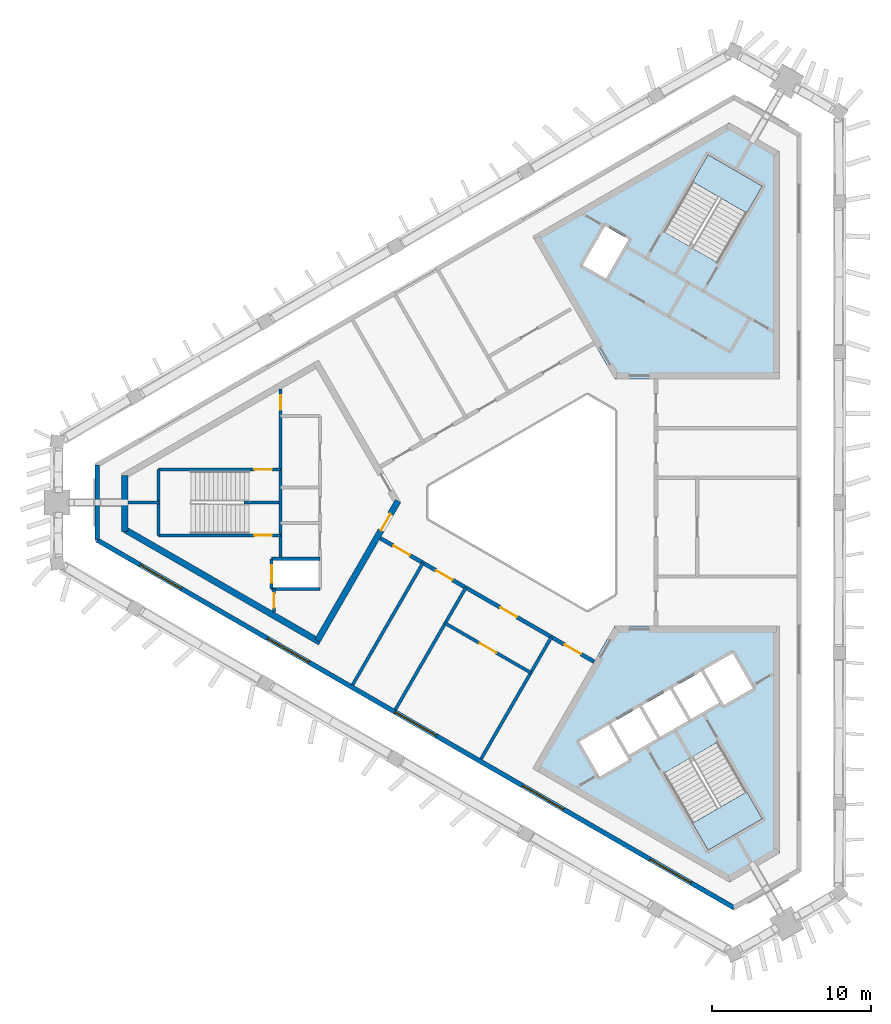
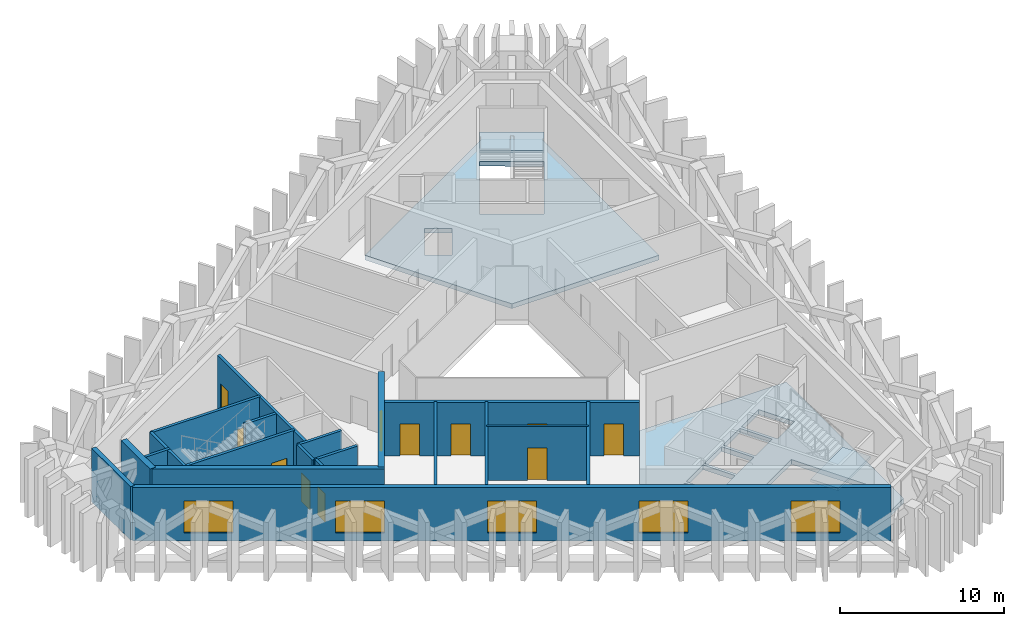
# One storey, part 3 of 8: 20 walls, 11 doors, 5 windows, 4 slabs, 16 openings, 2 elements without a shape of their own.
"""IFC4 building model written with IfcOpenShell, lengths in metres."""

from ifc_helpers import new_model, si_unit, direction, frame, frame_2d, origin, place, context, subcontext, project, spatial, polyline, rectangle, outline, extrude, material, layer, layer_set, type_object, element, fill, aggregate, save


model = new_model("IFC4")

# Units and contexts
model_context = context("Model", 3, precision=1e-05, world=origin(), true_north=direction((0.0, 1.0)))
body_context = subcontext(model_context, "Body", "Model", "MODEL_VIEW")
ifc_project = project(units=[si_unit("LENGTHUNIT", "METRE"), si_unit("AREAUNIT", "SQUARE_METRE"), si_unit("VOLUMEUNIT", "CUBIC_METRE"), si_unit("PLANEANGLEUNIT", "RADIAN"), si_unit("MASSUNIT", "GRAM", prefix="KILO")], contexts=[model_context])

# Site, building, storey
site_placement = place(None, origin())
site = spatial("IfcSite", under=ifc_project, at=site_placement, CompositionType="ELEMENT")
building_placement = place(site_placement, origin())
building = spatial("IfcBuilding", under=site, at=building_placement, Name="Jabali Bay Hotel Tower and Convention Centre", CompositionType="ELEMENT")
storey_placement = place(building_placement, frame((0.0, 0.0, 296.0)))
storey = spatial("IfcBuildingStorey", under=building, at=storey_placement, Name="L73", CompositionType="ELEMENT", Elevation=296.0)

# Slabs
ifc_material_1 = material(Name="Concrete C40", Category="concrete")
ifc_layer_1 = layer(ifc_material_1, 0.35009765625)
ifc_layer_set_1 = layer_set([ifc_layer_1], Name="Concrete C40")
slab_type_1 = type_object("IfcSlabType", Name="Core floor slab 350", PredefinedType="FLOOR", material=ifc_layer_set_1)
slab_1_placement = place(storey_placement, frame((0.0, 0.0, -0.35009765625)))
element("IfcSlab", 1, at=slab_1_placement, inside=storey, type_object=slab_type_1, Name="Core floor slab 2 L73", PredefinedType="FLOOR", context=body_context, shape_type="SweptSolid", body=[
    extrude(outline(polyline([(79.5, 87.794189453125), (89.8798828125, 87.794189453125), (89.8798828125, 102.127685546875), (86.72314453125, 103.9501953125), (74.31005859375, 96.78369140625), (79.5, 87.794189453125)]), holes=[polyline([(78.93896484375, 94.12255859375), (80.364013671875, 96.5908203125), (78.891845703125, 97.440673828125), (77.466796875, 94.97265625), (78.93896484375, 94.12255859375)]), polyline([(88.80029296875, 99.952880859375), (85.379638671875, 101.927978515625), (82.584716796875, 97.0869140625), (86.00537109375, 95.11181640625), (88.80029296875, 99.952880859375)])]), origin(), (0.0, 0.0, 1.0), 0.35009765625),
])
slab_2_placement = place(storey_placement, frame((0.0, 0.0, -0.35009765625)))
element("IfcSlab", 2, at=slab_2_placement, inside=storey, type_object=slab_type_1, Name="Core floor slab 3 L73", PredefinedType="FLOOR", context=body_context, shape_type="SweptSolid", body=[
    extrude(outline(polyline([(79.5, 72.205810546875), (74.31005859375, 63.21630859375), (86.72314453125, 56.0498046875), (89.8798828125, 57.872314453125), (89.8798828125, 72.205810546875), (79.5, 72.205810546875)]), holes=[polyline([(82.584716796875, 62.9130859375), (85.379638671875, 58.072021484375), (88.80029296875, 60.047119140625), (86.00537109375, 64.88818359375), (82.584716796875, 62.9130859375)]), polyline([(80.365478515625, 63.756591796875), (79.090576171875, 65.96484375), (77.27197265625, 64.9150390625), (78.546875, 62.70654296875), (80.365478515625, 63.756591796875)]), polyline([(82.17919921875, 65.115478515625), (81.0390625, 67.08984375), (79.263671875, 66.06494140625), (80.40380859375, 64.09033203125), (82.17919921875, 65.115478515625)]), polyline([(82.98779296875, 68.21484375), (81.21240234375, 67.18994140625), (82.352294921875, 65.21533203125), (84.127685546875, 66.240478515625), (82.98779296875, 68.21484375)]), polyline([(86.076171875, 67.365478515625), (84.936279296875, 69.33984375), (83.160888671875, 68.31494140625), (84.30078125, 66.34033203125), (86.076171875, 67.365478515625)]), polyline([(88.203125, 68.281494140625), (86.927978515625, 70.489990234375), (85.109375, 69.43994140625), (86.384521484375, 67.231689453125), (88.203125, 68.281494140625)])]), origin(), (0.0, 0.0, 1.0), 0.35009765625),
])

# Stair, slab
stair_type = type_object("IfcStairType", Name="Exit stair 1900", PredefinedType="HALF_TURN_STAIR", material=ifc_material_1)
stair_1_placement = place(storey_placement, origin())
stair_1 = element("IfcStair", 3, at=stair_1_placement, inside=storey, type_object=stair_type, Name="L73 Exit Stair 2", PredefinedType="HALF_TURN_STAIR")
ifc_layer_2 = layer(ifc_material_1, 0.199951171875)
ifc_layer_set_2 = layer_set([ifc_layer_2], Name="Concrete C40")
slab_type_2 = type_object("IfcSlabType", Name="Stair landing 200", PredefinedType="LANDING", material=ifc_layer_set_2)
slab_3_placement = place(storey_placement, frame((0.0, 0.0, 2.0)))
slab_3 = element("IfcSlab", 4, at=slab_3_placement, type_object=slab_type_2, Name="ST2 landing 1", PredefinedType="LANDING", context=body_context, shape_type="SweptSolid", body=[
    extrude(outline(polyline([(87.81884765625, 98.2529296875), (88.80029296875, 99.952880859375), (85.379638671875, 101.927978515625), (84.398193359375, 100.22802734375), (87.81884765625, 98.2529296875)])), origin(), (0.0, 0.0, 1.0), 0.199951171875),
])
aggregate(stair_1, [slab_3])

stair_2_placement = place(storey_placement, origin())
stair_2 = element("IfcStair", 5, at=stair_2_placement, inside=storey, type_object=stair_type, Name="L73 Exit Stair 3", PredefinedType="HALF_TURN_STAIR")
slab_4_placement = place(storey_placement, frame((0.0, 0.0, 2.0)))
slab_4 = element("IfcSlab", 6, at=slab_4_placement, type_object=slab_type_2, Name="ST3 landing 1", PredefinedType="LANDING", context=body_context, shape_type="SweptSolid", body=[
    extrude(outline(polyline([(84.398193359375, 59.77197265625), (85.379638671875, 58.072021484375), (88.80029296875, 60.047119140625), (87.81884765625, 61.7470703125), (84.398193359375, 59.77197265625)])), origin(), (0.0, 0.0, 1.0), 0.199951171875),
])
aggregate(stair_2, [slab_4])

# Wall
ifc_layer_3 = layer(ifc_material_1, 0.199951171875)
ifc_layer_set_3 = layer_set([ifc_layer_3], Name="Concrete C40")
wall_type_1 = type_object("IfcWallType", Name="Core partition wall 200", PredefinedType="PARTITIONING", material=ifc_layer_set_3)
wall_1_placement = place(storey_placement, frame((50.820068359375, 80.0, 0.0), z_axis=(0.0, 0.0, 1.0), x_axis=(-1.0, 0.0, 0.0)))
element("IfcWall", 7, at=wall_1_placement, inside=storey, type_object=wall_type_1, Name="Core wall 0.4 L73", PredefinedType="PARTITIONING", context=body_context, shape_type="SweptSolid", body=[
    extrude(rectangle(XDim=2.023193359375, YDim=0.199951171875, at=frame_2d((1.01171875, 0.0))), origin(), (0.0, 0.0, 1.0), 4.0),
])

# Wall, opening, door
wall_2_placement = place(storey_placement, frame((58.0, 74.550048828125, 0.0), z_axis=(0.0, 0.0, 1.0), x_axis=(0.0, -1.0, 0.0)))
wall_2 = element("IfcWall", 8, at=wall_2_placement, inside=storey, type_object=wall_type_1, Name="Core wall 0.11 L73", PredefinedType="PARTITIONING", context=body_context, shape_type="SweptSolid", body=[
    extrude(rectangle(XDim=1.455078125, YDim=0.199951171875, at=frame_2d((0.7275390625, 0.0))), origin(), (0.0, 0.0, 1.0), 4.0),
])
opening_1_placement = place(wall_2_placement, frame((0.277587890625, 0.0, 0.0)))
opening_1 = element("IfcOpeningElement", 9, at=opening_1_placement, cuts=wall_2, Name="Opening D1618", PredefinedType="OPENING", context=body_context, shape_type="SweptSolid", body=[
    extrude(rectangle(XDim=0.89990234375, YDim=2.10009765625, at=frame_2d((0.449951171875, 1.050048828125))), frame((0.0, 0.1103515625, 0.0), z_axis=(0.0, -1.0, 0.0), x_axis=(1.0, 0.0, 0.0)), (0.0, 0.0, 1.0), 0.220947265625),
])
ifc_material_2 = material(Name="Fire-rated steel door", Category="steel")
door_type_1 = type_object("IfcDoorType", Name="Vestibule fire door 900 x 2100", OperationType="NOTDEFINED", PredefinedType="NOTDEFINED", material=ifc_material_2)
door_1_placement = place(opening_1_placement, origin())
door_1 = element("IfcDoor", 10, at=door_1_placement, inside=storey, type_object=door_type_1, Name="Vestibule fire door D1618", OperationType="SINGLE_SWING_LEFT", OverallHeight=2.10009765625, OverallWidth=0.89990234375, PredefinedType="NOTDEFINED", context=body_context, shape_type="SweptSolid", body=[
    extrude(rectangle(XDim=0.89990234375, YDim=2.10009765625, at=frame_2d((0.449951171875, 1.050048828125))), frame((0.0, 0.02490234375, 0.0), z_axis=(0.0, -1.0, 0.0), x_axis=(1.0, 0.0, 0.0)), (0.0, 0.0, 1.0), 0.050048828125),
])
fill(opening_1, door_1)

ifc_layer_4 = layer(ifc_material_1, 0.199951171875)
ifc_layer_set_4 = layer_set([ifc_layer_4], Name="Concrete C40")
wall_type_2 = type_object("IfcWallType", Name="Core stair wall 200", PredefinedType="SOLIDWALL", material=ifc_layer_set_4)
wall_3_placement = place(storey_placement, frame((58.419921875, 82.074951171875, 0.0), z_axis=(0.0, 0.0, 1.0), x_axis=(-1.0, 0.0, 0.0)))
wall_3 = element("IfcWall", 11, at=wall_3_placement, inside=storey, type_object=wall_type_2, Name="Core wall 0.1 L73", PredefinedType="SOLIDWALL", context=body_context, shape_type="SweptSolid", body=[
    extrude(rectangle(XDim=7.699951171875, YDim=0.199951171875, at=frame_2d((3.85009765625, 0.0))), origin(), (0.0, 0.0, 1.0), 4.0),
])
opening_2_placement = place(wall_3_placement, frame((0.550048828125, 0.0, 0.0)))
opening_2 = element("IfcOpeningElement", 12, at=opening_2_placement, cuts=wall_3, Name="Opening D1621", PredefinedType="OPENING", context=body_context, shape_type="SweptSolid", body=[
    extrude(rectangle(XDim=1.10009765625, YDim=2.10009765625, at=frame_2d((0.550048828125, 1.050048828125))), frame((0.0, 0.1103515625, 0.0), z_axis=(0.0, -1.0, 0.0), x_axis=(1.0, 0.0, 0.0)), (0.0, 0.0, 1.0), 0.220947265625),
])
door_type_2 = type_object("IfcDoorType", Name="Stair fire door 1100 x 2100", OperationType="NOTDEFINED", PredefinedType="NOTDEFINED", material=ifc_material_2)
door_2_placement = place(opening_2_placement, origin())
door_2 = element("IfcDoor", 13, at=door_2_placement, inside=storey, type_object=door_type_2, Name="Stair fire door D1621", OperationType="SINGLE_SWING_LEFT", OverallHeight=2.10009765625, OverallWidth=1.10009765625, PredefinedType="NOTDEFINED", context=body_context, shape_type="SweptSolid", body=[
    extrude(rectangle(XDim=1.10009765625, YDim=2.10009765625, at=frame_2d((0.550048828125, 1.050048828125))), frame((0.0, 0.02490234375, 0.0), z_axis=(0.0, -1.0, 0.0), x_axis=(1.0, 0.0, 0.0)), (0.0, 0.0, 1.0), 0.050048828125),
])
fill(opening_2, door_2)

# Wall
wall_4_placement = place(storey_placement, frame((58.320068359375, 80.0, 0.0), z_axis=(0.0, 0.0, 1.0), x_axis=(-1.0, 0.0, 0.0)))
element("IfcWall", 14, at=wall_4_placement, inside=storey, type_object=wall_type_2, Name="Core wall 0.3 L73", PredefinedType="SOLIDWALL", context=body_context, shape_type="SweptSolid", body=[
    extrude(rectangle(XDim=2.199951171875, YDim=0.199951171875, at=frame_2d((1.10009765625, 0.0))), origin(), (0.0, 0.0, 1.0), 4.0),
])

# Wall, opening, door
wall_5_placement = place(storey_placement, frame((58.419921875, 77.925048828125, 0.0), z_axis=(0.0, 0.0, 1.0), x_axis=(-1.0, 0.0, 0.0)))
wall_5 = element("IfcWall", 15, at=wall_5_placement, inside=storey, type_object=wall_type_2, Name="Core wall 0.6 L73", PredefinedType="SOLIDWALL", context=body_context, shape_type="SweptSolid", body=[
    extrude(rectangle(XDim=7.699951171875, YDim=0.199951171875, at=frame_2d((3.85009765625, 0.0))), origin(), (0.0, 0.0, 1.0), 4.0),
])
opening_3_placement = place(wall_5_placement, frame((0.550048828125, 0.0, 0.0)))
opening_3 = element("IfcOpeningElement", 16, at=opening_3_placement, cuts=wall_5, Name="Opening D1620", PredefinedType="OPENING", context=body_context, shape_type="SweptSolid", body=[
    extrude(rectangle(XDim=1.10009765625, YDim=2.10009765625, at=frame_2d((0.550048828125, 1.050048828125))), frame((0.0, 0.1103515625, 0.0), z_axis=(0.0, -1.0, 0.0), x_axis=(1.0, 0.0, 0.0)), (0.0, 0.0, 1.0), 0.220947265625),
])
door_3_placement = place(opening_3_placement, origin())
door_3 = element("IfcDoor", 17, at=door_3_placement, inside=storey, type_object=door_type_2, Name="Stair fire door D1620", OperationType="SINGLE_SWING_RIGHT", OverallHeight=2.10009765625, OverallWidth=1.10009765625, PredefinedType="NOTDEFINED", context=body_context, shape_type="SweptSolid", body=[
    extrude(rectangle(XDim=1.10009765625, YDim=2.10009765625, at=frame_2d((0.550048828125, 1.050048828125))), frame((0.0, 0.02490234375, 0.0), z_axis=(0.0, -1.0, 0.0), x_axis=(1.0, 0.0, 0.0)), (0.0, 0.0, 1.0), 0.050048828125),
])
fill(opening_3, door_3)

# Walls
for number, where, z_axis, x_axis, name in (
    (18, (60.89990234375, 76.449951171875, 0.0), (0.0, 0.0, 1.0), (-1.0, 0.0, 0.0), "Core wall 0.7 L73"),
    (19, (60.89990234375, 74.550048828125, 0.0), (0.0, 0.0, 1.0), (-1.0, 0.0, 0.0), "Core wall 0.8 L73"),
):
    element("IfcWall", number, at=place(storey_placement, frame(where, z_axis=z_axis, x_axis=x_axis)), inside=storey, type_object=wall_type_2, Name=name, PredefinedType="SOLIDWALL", context=body_context, shape_type="SweptSolid", body=[
        extrude(rectangle(XDim=3.0498046875, YDim=0.199951171875, at=frame_2d((1.52490234375, 0.0))), origin(), (0.0, 0.0, 1.0), 4.0),
    ])

# Wall, opening, door
wall_6_placement = place(storey_placement, frame((58.419921875, 87.147705078125, 0.0), z_axis=(0.0, 0.0, 1.0), x_axis=(0.0, -1.0, 0.0)))
wall_6 = element("IfcWall", 20, at=wall_6_placement, inside=storey, type_object=wall_type_2, Name="Core wall 0.10 L73", PredefinedType="SOLIDWALL", context=body_context, shape_type="SweptSolid", body=[
    extrude(rectangle(XDim=10.69775390625, YDim=0.199951171875, at=frame_2d((5.348876953125, 0.0))), origin(), (0.0, 0.0, 1.0), 4.0),
])
opening_4_placement = place(wall_6_placement, frame((0.398681640625, 0.0, 0.0)))
opening_4 = element("IfcOpeningElement", 21, at=opening_4_placement, cuts=wall_6, Name="Opening D1619", PredefinedType="OPENING", context=body_context, shape_type="SweptSolid", body=[
    extrude(rectangle(XDim=0.89990234375, YDim=2.10009765625, at=frame_2d((0.449951171875, 1.050048828125))), frame((0.0, 0.1103515625, 0.0), z_axis=(0.0, -1.0, 0.0), x_axis=(1.0, 0.0, 0.0)), (0.0, 0.0, 1.0), 0.220947265625),
])
door_4_placement = place(opening_4_placement, origin())
door_4 = element("IfcDoor", 22, at=door_4_placement, inside=storey, type_object=door_type_1, Name="Vestibule fire door D1619", OperationType="SINGLE_SWING_LEFT", OverallHeight=2.10009765625, OverallWidth=0.89990234375, PredefinedType="NOTDEFINED", context=body_context, shape_type="SweptSolid", body=[
    extrude(rectangle(XDim=0.89990234375, YDim=2.10009765625, at=frame_2d((0.449951171875, 1.050048828125))), frame((0.0, 0.02490234375, 0.0), z_axis=(0.0, -1.0, 0.0), x_axis=(1.0, 0.0, 0.0)), (0.0, 0.0, 1.0), 0.050048828125),
])
fill(opening_4, door_4)

wall_7_placement = place(storey_placement, frame((57.85009765625, 76.449951171875, 0.0), z_axis=(0.0, 0.0, 1.0), x_axis=(0.0, -1.0, 0.0)))
wall_7 = element("IfcWall", 23, at=wall_7_placement, inside=storey, type_object=wall_type_2, Name="Core wall 0.12 L73", PredefinedType="SOLIDWALL", context=body_context, shape_type="SweptSolid", body=[
    extrude(rectangle(XDim=1.89990234375, YDim=0.199951171875, at=frame_2d((0.949951171875, 0.0))), origin(), (0.0, 0.0, 1.0), 4.0),
])
opening_5_placement = place(wall_7_placement, frame((0.39990234375, 0.0, 0.0)))
opening_5 = element("IfcOpeningElement", 24, at=opening_5_placement, cuts=wall_7, Name="Opening LD5-L73", PredefinedType="OPENING", context=body_context, shape_type="SweptSolid", body=[
    extrude(rectangle(XDim=1.10009765625, YDim=2.10009765625, at=frame_2d((0.550048828125, 1.050048828125))), frame((0.0, 0.1103515625, 0.0), z_axis=(0.0, -1.0, 0.0), x_axis=(1.0, 0.0, 0.0)), (0.0, 0.0, 1.0), 0.220947265625),
])
ifc_material_3 = material(Name="Stainless steel landing door", Category="steel")
door_type_3 = type_object("IfcDoorType", Name="Landing door 1100 x 2100", OperationType="NOTDEFINED", PredefinedType="NOTDEFINED", material=ifc_material_3)
door_5_placement = place(opening_5_placement, origin())
door_5 = element("IfcDoor", 25, at=door_5_placement, inside=storey, type_object=door_type_3, Name="Landing doors LD5-L73", OperationType="SLIDING_TO_RIGHT", OverallHeight=2.10009765625, OverallWidth=1.10009765625, PredefinedType="NOTDEFINED", context=body_context, shape_type="SweptSolid", body=[
    extrude(rectangle(XDim=1.10009765625, YDim=2.10009765625, at=frame_2d((0.550048828125, 1.050048828125))), frame((0.0, 0.02490234375, 0.0), z_axis=(0.0, -1.0, 0.0), x_axis=(1.0, 0.0, 0.0)), (0.0, 0.0, 1.0), 0.050048828125),
])
fill(opening_5, door_5)

# Walls
wall_8_placement = place(storey_placement, frame((50.719970703125, 82.074951171875, 0.0), z_axis=(0.0, 0.0, 1.0), x_axis=(0.0, -1.0, 0.0)))
element("IfcWall", 26, at=wall_8_placement, inside=storey, type_object=wall_type_2, Name="Core wall 0.13 L73", PredefinedType="SOLIDWALL", context=body_context, shape_type="SweptSolid", body=[
    extrude(rectangle(XDim=4.14990234375, YDim=0.199951171875, at=frame_2d((2.074951171875, 0.0))), origin(), (0.0, 0.0, 1.0), 4.0),
])
ifc_material_4 = material(Name="Concrete C60", Category="concrete")
ifc_layer_5 = layer(ifc_material_4, 0.39990234375)
ifc_layer_set_5 = layer_set([ifc_layer_5], Name="Concrete C60")
wall_type_3 = type_object("IfcWallType", Name="Core wall 400", PredefinedType="SHEAR", material=ifc_layer_set_5)
wall_9_placement = place(storey_placement, frame((48.596923828125, 81.707275390625, 0.0), z_axis=(0.0, 0.0, 1.0), x_axis=(0.0, -1.0, 0.0)))
element("IfcWall", 27, at=wall_9_placement, inside=storey, type_object=wall_type_3, Name="Core wall 1.3 L73", PredefinedType="SHEAR", context=body_context, shape_type="SweptSolid", body=[
    extrude(rectangle(XDim=3.530029296875, YDim=0.39990234375, at=frame_2d((1.76513671875, 0.0))), origin(), (0.0, 0.0, 1.0), 4.39990234375),
])
wall_10_placement = place(storey_placement, frame((48.596923828125, 78.292724609375, 0.0), z_axis=(0.0, 0.0, 1.0), x_axis=(0.866026024469, -0.499998924941, 0.0)))
element("IfcWall", 28, at=wall_10_placement, inside=storey, type_object=wall_type_3, Name="Core wall 1.4 L73", PredefinedType="SHEAR", context=body_context, shape_type="SweptSolid", body=[
    extrude(rectangle(XDim=14.2177734375, YDim=0.39990234375, at=frame_2d((7.10888671875, 0.0))), origin(), (0.0, 0.0, 1.0), 4.39990234375),
])

# Wall, opening, door
wall_11_placement = place(storey_placement, frame((60.73681640625, 71.283935546875, 0.0), z_axis=(0.0, 0.0, 1.0), x_axis=(0.50000547566, 0.866022242388, 0.0)))
wall_11 = element("IfcWall", 29, at=wall_11_placement, inside=storey, type_object=wall_type_3, Name="Core wall 1.5 L73", PredefinedType="SHEAR", context=body_context, shape_type="SweptSolid", body=[
    extrude(rectangle(XDim=10.18017578125, YDim=0.39990234375, at=frame_2d((5.090087890625, 0.0))), origin(), (0.0, 0.0, 1.0), 4.39990234375),
])
opening_6_placement = place(wall_11_placement, frame((8.030029296875, 0.0, 0.0)))
opening_6 = element("IfcOpeningElement", 30, at=opening_6_placement, cuts=wall_11, Name="Opening D1614", PredefinedType="OPENING", context=body_context, shape_type="SweptSolid", body=[
    extrude(rectangle(XDim=1.199951171875, YDim=2.10009765625, at=frame_2d((0.60009765625, 1.050048828125))), frame((0.0, 0.21044921875, 0.0), z_axis=(0.0, -1.0, 0.0), x_axis=(1.0, 0.0, 0.0)), (0.0, 0.0, 1.0), 0.4208984375),
])
door_type_4 = type_object("IfcDoorType", Name="Corridor end fire door 1200 x 2100", OperationType="NOTDEFINED", PredefinedType="NOTDEFINED", material=ifc_material_2)
door_6_placement = place(opening_6_placement, origin())
door_6 = element("IfcDoor", 31, at=door_6_placement, inside=storey, type_object=door_type_4, Name="Corridor end fire door D1614", OperationType="SINGLE_SWING_LEFT", OverallHeight=2.10009765625, OverallWidth=1.199951171875, PredefinedType="NOTDEFINED", context=body_context, shape_type="SweptSolid", body=[
    extrude(rectangle(XDim=1.199951171875, YDim=2.10009765625, at=frame_2d((0.60009765625, 1.050048828125))), frame((0.0, 0.02490234375, 0.0), z_axis=(0.0, -1.0, 0.0), x_axis=(1.0, 0.0, 0.0)), (0.0, 0.0, 1.0), 0.050048828125),
])
fill(opening_6, door_6)

# Wall, openings, doors
ifc_layer_6 = layer(ifc_material_4, 0.25)
ifc_layer_set_6 = layer_set([ifc_layer_6], Name="Concrete C60")
wall_type_4 = type_object("IfcWallType", Name="Corridor wall 250", PredefinedType="SHEAR", material=ifc_layer_set_6)
wall_12_placement = place(storey_placement, frame((64.699951171875, 77.748291015625, 0.0), z_axis=(0.0, 0.0, 1.0), x_axis=(0.866026492143, -0.499998114903, 0.0)))
wall_12 = element("IfcWall", 32, at=wall_12_placement, inside=storey, type_object=wall_type_4, Name="Corridor wall 3 L73", PredefinedType="SHEAR", context=body_context, shape_type="SweptSolid", body=[
    extrude(rectangle(XDim=15.58837890625, YDim=0.25, at=frame_2d((7.794189453125, 0.0))), origin(), (0.0, 0.0, 1.0), 4.0),
])
opening_7_placement = place(wall_12_placement, frame((0.958740234375, 0.0, 0.0)))
opening_7 = element("IfcOpeningElement", 33, at=opening_7_placement, cuts=wall_12, Name="Opening 7311", PredefinedType="OPENING", context=body_context, shape_type="SweptSolid", body=[
    extrude(rectangle(XDim=1.199951171875, YDim=2.39990234375, at=frame_2d((0.60009765625, 1.199951171875))), frame((0.0, 0.135498046875, 0.0), z_axis=(0.0, -1.0, 0.0), x_axis=(1.0, 0.0, 0.0)), (0.0, 0.0, 1.0), 0.27099609375),
])
opening_8_placement = place(wall_12_placement, frame((4.076416015625, 0.0, 0.0)))
opening_8 = element("IfcOpeningElement", 34, at=opening_8_placement, cuts=wall_12, Name="Opening 7312", PredefinedType="OPENING", context=body_context, shape_type="SweptSolid", body=[
    extrude(rectangle(XDim=1.199951171875, YDim=2.39990234375, at=frame_2d((0.60009765625, 1.199951171875))), frame((0.0, 0.135498046875, 0.0), z_axis=(0.0, -1.0, 0.0), x_axis=(1.0, 0.0, 0.0)), (0.0, 0.0, 1.0), 0.27099609375),
])
opening_9_placement = place(wall_12_placement, frame((8.753173828125, 0.0, 0.0)))
opening_9 = element("IfcOpeningElement", 35, at=opening_9_placement, cuts=wall_12, Name="Opening 7313", PredefinedType="OPENING", context=body_context, shape_type="SweptSolid", body=[
    extrude(rectangle(XDim=1.199951171875, YDim=2.39990234375, at=frame_2d((0.60009765625, 1.199951171875))), frame((0.0, 0.135498046875, 0.0), z_axis=(0.0, -1.0, 0.0), x_axis=(1.0, 0.0, 0.0)), (0.0, 0.0, 1.0), 0.27099609375),
])
opening_10_placement = place(wall_12_placement, frame((13.4296875, 0.0, 0.0)))
opening_10 = element("IfcOpeningElement", 36, at=opening_10_placement, cuts=wall_12, Name="Opening 7315", PredefinedType="OPENING", context=body_context, shape_type="SweptSolid", body=[
    extrude(rectangle(XDim=1.199951171875, YDim=2.39990234375, at=frame_2d((0.60009765625, 1.199951171875))), frame((0.0, 0.135498046875, 0.0), z_axis=(0.0, -1.0, 0.0), x_axis=(1.0, 0.0, 0.0)), (0.0, 0.0, 1.0), 0.27099609375),
])
ifc_material_5 = material(Name="Steel Q355B", Category="steel")
door_type_5 = type_object("IfcDoorType", Name="Plant room door 1200 x 2400", OperationType="NOTDEFINED", PredefinedType="NOTDEFINED", material=ifc_material_5)
door_7_placement = place(opening_7_placement, origin())
door_7 = element("IfcDoor", 37, at=door_7_placement, inside=storey, type_object=door_type_5, Name="Door 7311", OperationType="SINGLE_SWING_LEFT", OverallHeight=2.39990234375, OverallWidth=1.199951171875, PredefinedType="NOTDEFINED", context=body_context, shape_type="SweptSolid", body=[
    extrude(rectangle(XDim=1.199951171875, YDim=2.39990234375, at=frame_2d((0.60009765625, 1.199951171875))), frame((0.0, 0.02490234375, 0.0), z_axis=(0.0, -1.0, 0.0), x_axis=(1.0, 0.0, 0.0)), (0.0, 0.0, 1.0), 0.050048828125),
])
fill(opening_7, door_7)
door_8_placement = place(opening_8_placement, origin())
door_8 = element("IfcDoor", 38, at=door_8_placement, inside=storey, type_object=door_type_5, Name="Door 7312", OperationType="SINGLE_SWING_LEFT", OverallHeight=2.39990234375, OverallWidth=1.199951171875, PredefinedType="NOTDEFINED", context=body_context, shape_type="SweptSolid", body=[
    extrude(rectangle(XDim=1.199951171875, YDim=2.39990234375, at=frame_2d((0.60009765625, 1.199951171875))), frame((0.0, 0.02490234375, 0.0), z_axis=(0.0, -1.0, 0.0), x_axis=(1.0, 0.0, 0.0)), (0.0, 0.0, 1.0), 0.050048828125),
])
fill(opening_8, door_8)
door_9_placement = place(opening_10_placement, origin())
door_9 = element("IfcDoor", 39, at=door_9_placement, inside=storey, type_object=door_type_5, Name="Door 7315", OperationType="SINGLE_SWING_RIGHT", OverallHeight=2.39990234375, OverallWidth=1.199951171875, PredefinedType="NOTDEFINED", context=body_context, shape_type="SweptSolid", body=[
    extrude(rectangle(XDim=1.199951171875, YDim=2.39990234375, at=frame_2d((0.60009765625, 1.199951171875))), frame((0.0, 0.02490234375, 0.0), z_axis=(0.0, -1.0, 0.0), x_axis=(1.0, 0.0, 0.0)), (0.0, 0.0, 1.0), 0.050048828125),
])
fill(opening_10, door_9)
door_type_6 = type_object("IfcDoorType", Name="Refuge hall door 1200 x 2400", OperationType="NOTDEFINED", PredefinedType="NOTDEFINED", material=ifc_material_5)
door_10_placement = place(opening_9_placement, origin())
door_10 = element("IfcDoor", 40, at=door_10_placement, inside=storey, type_object=door_type_6, Name="Door 7313", OperationType="SINGLE_SWING_RIGHT", OverallHeight=2.39990234375, OverallWidth=1.199951171875, PredefinedType="NOTDEFINED", context=body_context, shape_type="SweptSolid", body=[
    extrude(rectangle(XDim=1.199951171875, YDim=2.39990234375, at=frame_2d((0.60009765625, 1.199951171875))), frame((0.0, 0.02490234375, 0.0), z_axis=(0.0, -1.0, 0.0), x_axis=(1.0, 0.0, 0.0)), (0.0, 0.0, 1.0), 0.050048828125),
])
fill(opening_9, door_10)

# Wall
ifc_layer_7 = layer(ifc_material_1, 0.300048828125)
ifc_layer_set_7 = layer_set([ifc_layer_7], Name="Concrete C40")
wall_type_5 = type_object("IfcWallType", Name="External wall 300", PredefinedType="SOLIDWALL", material=ifc_layer_set_7)
wall_13_placement = place(storey_placement, frame((46.849365234375, 77.627685546875, 0.0), z_axis=(0.0, 0.0, 1.0), x_axis=(0.0, 1.0, 0.0)))
element("IfcWall", 41, at=wall_13_placement, inside=storey, type_object=wall_type_5, Name="External wall west chamfer L73", PredefinedType="SOLIDWALL", context=body_context, shape_type="SweptSolid", body=[
    extrude(rectangle(XDim=4.74462890625, YDim=0.300048828125, at=frame_2d((2.372314453125, 0.0))), origin(), (0.0, 0.0, 1.0), 4.0),
])

# Wall, openings, windows
wall_14_placement = place(storey_placement, frame((87.020751953125, 54.434814453125, 0.0), z_axis=(0.0, 0.0, 1.0), x_axis=(-0.86602624246, 0.499998547369, 0.0)))
wall_14 = element("IfcWall", 42, at=wall_14_placement, inside=storey, type_object=wall_type_5, Name="External wall south-west face L73", PredefinedType="SOLIDWALL", context=body_context, shape_type="SweptSolid", body=[
    extrude(rectangle(XDim=46.385986328125, YDim=0.300048828125, at=frame_2d((23.19287109375, 0.0))), origin(), (0.0, 0.0, 1.0), 4.0),
])
opening_11_placement = place(wall_14_placement, frame((3.138671875, 0.0, 0.60009765625)))
opening_11 = element("IfcOpeningElement", 43, at=opening_11_placement, cuts=wall_14, Name="Opening W2", PredefinedType="OPENING", context=body_context, shape_type="SweptSolid", body=[
    extrude(rectangle(XDim=3.0, YDim=2.39990234375, at=frame_2d((1.5, 1.199951171875))), frame((0.0, 0.16064453125, 0.0), z_axis=(0.0, -1.0, 0.0), x_axis=(1.0, 0.0, 0.0)), (0.0, 0.0, 1.0), 0.321044921875),
])
opening_12_placement = place(wall_14_placement, frame((12.415771484375, 0.0, 0.60009765625)))
opening_12 = element("IfcOpeningElement", 44, at=opening_12_placement, cuts=wall_14, Name="Opening W2", PredefinedType="OPENING", context=body_context, shape_type="SweptSolid", body=[
    extrude(rectangle(XDim=3.0, YDim=2.39990234375, at=frame_2d((1.5, 1.199951171875))), frame((0.0, 0.16064453125, 0.0), z_axis=(0.0, -1.0, 0.0), x_axis=(1.0, 0.0, 0.0)), (0.0, 0.0, 1.0), 0.321044921875),
])
opening_13_placement = place(wall_14_placement, frame((21.69287109375, 0.0, 0.60009765625)))
opening_13 = element("IfcOpeningElement", 45, at=opening_13_placement, cuts=wall_14, Name="Opening W2", PredefinedType="OPENING", context=body_context, shape_type="SweptSolid", body=[
    extrude(rectangle(XDim=3.0, YDim=2.39990234375, at=frame_2d((1.5, 1.199951171875))), frame((0.0, 0.16064453125, 0.0), z_axis=(0.0, -1.0, 0.0), x_axis=(1.0, 0.0, 0.0)), (0.0, 0.0, 1.0), 0.321044921875),
])
opening_14_placement = place(wall_14_placement, frame((30.97021484375, 0.0, 0.60009765625)))
opening_14 = element("IfcOpeningElement", 46, at=opening_14_placement, cuts=wall_14, Name="Opening W2", PredefinedType="OPENING", context=body_context, shape_type="SweptSolid", body=[
    extrude(rectangle(XDim=3.0, YDim=2.39990234375, at=frame_2d((1.5, 1.199951171875))), frame((0.0, 0.16064453125, 0.0), z_axis=(0.0, -1.0, 0.0), x_axis=(1.0, 0.0, 0.0)), (0.0, 0.0, 1.0), 0.321044921875),
])
opening_15_placement = place(wall_14_placement, frame((40.247314453125, 0.0, 0.60009765625)))
opening_15 = element("IfcOpeningElement", 47, at=opening_15_placement, cuts=wall_14, Name="Opening W2", PredefinedType="OPENING", context=body_context, shape_type="SweptSolid", body=[
    extrude(rectangle(XDim=3.0, YDim=2.39990234375, at=frame_2d((1.5, 1.199951171875))), frame((0.0, 0.16064453125, 0.0), z_axis=(0.0, -1.0, 0.0), x_axis=(1.0, 0.0, 0.0)), (0.0, 0.0, 1.0), 0.321044921875),
])
ifc_material_6 = material(Name="Aluminium", Category="aluminium")
window_type = type_object("IfcWindowType", Name="Louvred ventilation panel 3000 x 2400", PartitioningType="SINGLE_PANEL", PredefinedType="WINDOW", material=ifc_material_6)
window_1_placement = place(opening_11_placement, origin())
window_1 = element("IfcWindow", 48, at=window_1_placement, inside=storey, type_object=window_type, Name="Louvred panel 1", OverallHeight=2.39990234375, OverallWidth=3.0, PartitioningType="SINGLE_PANEL", PredefinedType="WINDOW", context=body_context, shape_type="SweptSolid", body=[
    extrude(rectangle(XDim=3.0, YDim=2.39990234375, at=frame_2d((1.5, 1.199951171875))), frame((0.0, 0.030029296875, 0.0), z_axis=(0.0, -1.0, 0.0), x_axis=(1.0, 0.0, 0.0)), (0.0, 0.0, 1.0), 0.06005859375),
])
fill(opening_11, window_1)
window_2_placement = place(opening_12_placement, origin())
window_2 = element("IfcWindow", 49, at=window_2_placement, inside=storey, type_object=window_type, Name="Louvred panel 2", OverallHeight=2.39990234375, OverallWidth=3.0, PartitioningType="SINGLE_PANEL", PredefinedType="WINDOW", context=body_context, shape_type="SweptSolid", body=[
    extrude(rectangle(XDim=3.0, YDim=2.39990234375, at=frame_2d((1.5, 1.199951171875))), frame((0.0, 0.030029296875, 0.0), z_axis=(0.0, -1.0, 0.0), x_axis=(1.0, 0.0, 0.0)), (0.0, 0.0, 1.0), 0.06005859375),
])
fill(opening_12, window_2)
window_3_placement = place(opening_13_placement, origin())
window_3 = element("IfcWindow", 50, at=window_3_placement, inside=storey, type_object=window_type, Name="Louvred panel 3", OverallHeight=2.39990234375, OverallWidth=3.0, PartitioningType="SINGLE_PANEL", PredefinedType="WINDOW", context=body_context, shape_type="SweptSolid", body=[
    extrude(rectangle(XDim=3.0, YDim=2.39990234375, at=frame_2d((1.5, 1.199951171875))), frame((0.0, 0.030029296875, 0.0), z_axis=(0.0, -1.0, 0.0), x_axis=(1.0, 0.0, 0.0)), (0.0, 0.0, 1.0), 0.06005859375),
])
fill(opening_13, window_3)
window_4_placement = place(opening_14_placement, origin())
window_4 = element("IfcWindow", 51, at=window_4_placement, inside=storey, type_object=window_type, Name="Louvred panel 4", OverallHeight=2.39990234375, OverallWidth=3.0, PartitioningType="SINGLE_PANEL", PredefinedType="WINDOW", context=body_context, shape_type="SweptSolid", body=[
    extrude(rectangle(XDim=3.0, YDim=2.39990234375, at=frame_2d((1.5, 1.199951171875))), frame((0.0, 0.030029296875, 0.0), z_axis=(0.0, -1.0, 0.0), x_axis=(1.0, 0.0, 0.0)), (0.0, 0.0, 1.0), 0.06005859375),
])
fill(opening_14, window_4)
window_5_placement = place(opening_15_placement, origin())
window_5 = element("IfcWindow", 52, at=window_5_placement, inside=storey, type_object=window_type, Name="Louvred panel 5", OverallHeight=2.39990234375, OverallWidth=3.0, PartitioningType="SINGLE_PANEL", PredefinedType="WINDOW", context=body_context, shape_type="SweptSolid", body=[
    extrude(rectangle(XDim=3.0, YDim=2.39990234375, at=frame_2d((1.5, 1.199951171875))), frame((0.0, 0.030029296875, 0.0), z_axis=(0.0, -1.0, 0.0), x_axis=(1.0, 0.0, 0.0)), (0.0, 0.0, 1.0), 0.06005859375),
])
fill(opening_15, window_5)

# Walls
ifc_material_7 = material(Name="Plasterboard on steel stud", Category="steel")
ifc_layer_8 = layer(ifc_material_7, 0.199951171875)
ifc_layer_set_8 = layer_set([ifc_layer_8], Name="Plasterboard on steel stud")
wall_type_6 = type_object("IfcWallType", Name="Partition 200 plant", PredefinedType="PARTITIONING", material=ifc_layer_set_8)
wall_15_placement = place(storey_placement, frame((62.959716796875, 68.49853515625, 0.0), z_axis=(0.0, 0.0, 1.0), x_axis=(0.499985810667, 0.866033595845, 0.0)))
element("IfcWall", 53, at=wall_15_placement, inside=storey, type_object=wall_type_6, Name="Partition P04 L73 009", PredefinedType="PARTITIONING", context=body_context, shape_type="SweptSolid", body=[
    extrude(rectangle(XDim=8.880615234375, YDim=0.199951171875, at=frame_2d((4.4404296875, 0.0))), origin(), (0.0, 0.0, 1.0), 4.0),
])
ifc_layer_9 = layer(ifc_material_7, 0.199951171875)
ifc_layer_set_9 = layer_set([ifc_layer_9], Name="Plasterboard on steel stud")
wall_type_7 = type_object("IfcWallType", Name="Partition 200 refuge", PredefinedType="PARTITIONING", material=ifc_layer_set_9)
wall_16_placement = place(storey_placement, frame((65.65966796875, 66.939697265625, 0.0), z_axis=(0.0, 0.0, 1.0), x_axis=(0.50000642917, 0.866021691869, 0.0)))
element("IfcWall", 54, at=wall_16_placement, inside=storey, type_object=wall_type_7, Name="Partition P05 L73 010", PredefinedType="PARTITIONING", context=body_context, shape_type="SweptSolid", body=[
    extrude(rectangle(XDim=8.880859375, YDim=0.199951171875, at=frame_2d((4.4404296875, 0.0))), origin(), (0.0, 0.0, 1.0), 4.0),
])

# Wall, opening, door
wall_17_placement = place(storey_placement, frame((68.800048828125, 72.37890625, 0.0), z_axis=(0.0, 0.0, 1.0), x_axis=(0.866022576681, -0.500004896655, 0.0)))
wall_17 = element("IfcWall", 55, at=wall_17_placement, inside=storey, type_object=wall_type_7, Name="Partition P05 L73 011", PredefinedType="PARTITIONING", context=body_context, shape_type="SweptSolid", body=[
    extrude(rectangle(XDim=6.2353515625, YDim=0.199951171875, at=frame_2d((3.11767578125, 0.0))), origin(), (0.0, 0.0, 1.0), 4.0),
])
opening_16_placement = place(wall_17_placement, frame((2.51806640625, 0.0, 0.0)))
opening_16 = element("IfcOpeningElement", 56, at=opening_16_placement, cuts=wall_17, Name="Opening 7314", PredefinedType="OPENING", context=body_context, shape_type="SweptSolid", body=[
    extrude(rectangle(XDim=1.199951171875, YDim=2.39990234375, at=frame_2d((0.60009765625, 1.199951171875))), frame((0.0, 0.1103515625, 0.0), z_axis=(0.0, -1.0, 0.0), x_axis=(1.0, 0.0, 0.0)), (0.0, 0.0, 1.0), 0.220947265625),
])
door_11_placement = place(opening_16_placement, origin())
door_11 = element("IfcDoor", 57, at=door_11_placement, inside=storey, type_object=door_type_6, Name="Door 7314", OperationType="SINGLE_SWING_RIGHT", OverallHeight=2.39990234375, OverallWidth=1.199951171875, PredefinedType="NOTDEFINED", context=body_context, shape_type="SweptSolid", body=[
    extrude(rectangle(XDim=1.199951171875, YDim=2.39990234375, at=frame_2d((0.60009765625, 1.199951171875))), frame((0.0, 0.02490234375, 0.0), z_axis=(0.0, -1.0, 0.0), x_axis=(1.0, 0.0, 0.0)), (0.0, 0.0, 1.0), 0.050048828125),
])
fill(opening_16, door_11)

# Wall
wall_18_placement = place(storey_placement, frame((71.0595703125, 63.822021484375, 0.0), z_axis=(0.0, 0.0, 1.0), x_axis=(0.50000642917, 0.866021691869, 0.0)))
element("IfcWall", 58, at=wall_18_placement, inside=storey, type_object=wall_type_7, Name="Partition P05 L73 012", PredefinedType="PARTITIONING", context=body_context, shape_type="SweptSolid", body=[
    extrude(rectangle(XDim=8.880859375, YDim=0.199951171875, at=frame_2d((4.4404296875, 0.0))), origin(), (0.0, 0.0, 1.0), 4.0),
])

save(model, "model.ifc")
